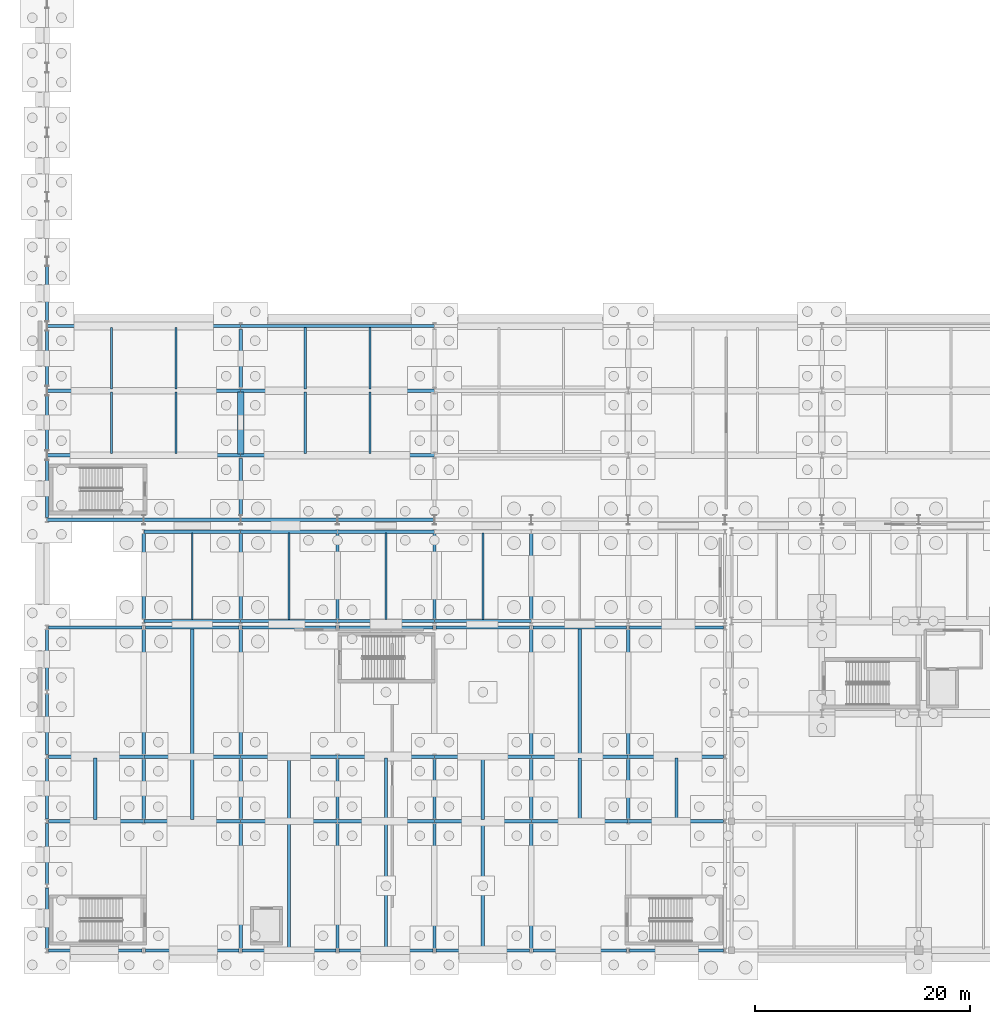
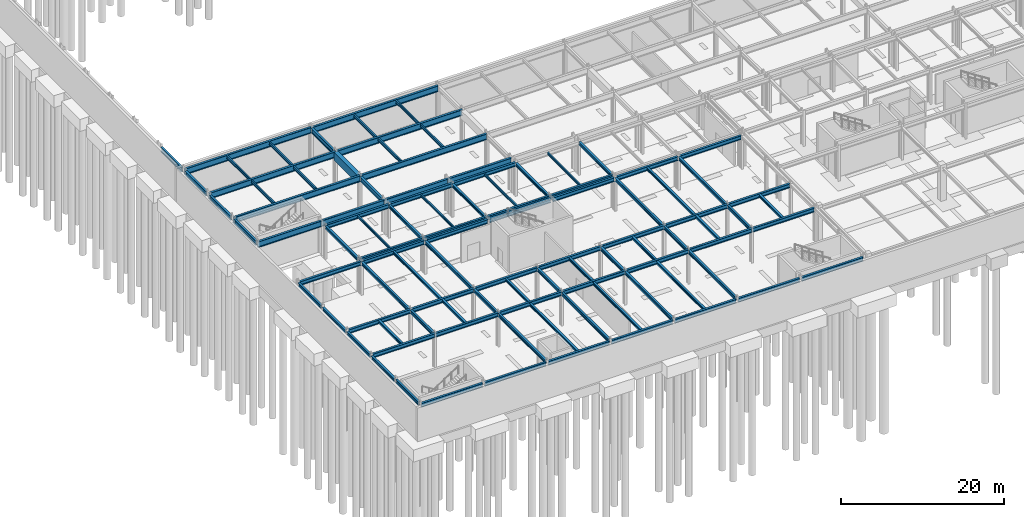
# One storey, part 34 of 65: 100 beams.
"""IFC4 building model written with IfcOpenShell, lengths in metres."""

from ifc_helpers import new_model, si_unit, direction, frame, origin, origin_2d, place, context, subcontext, project, spatial, rectangle, i_section, extrude, material, material_profile, profile_set, type_object, element, save


model = new_model("IFC4")

# Units and contexts
model_context = context("Model", 3, precision=1e-05, world=origin(), true_north=direction((0.0, 1.0)))
body_context = subcontext(model_context, "Body", "Model", "MODEL_VIEW")
ifc_project = project(units=[si_unit("LENGTHUNIT", "METRE"), si_unit("AREAUNIT", "SQUARE_METRE"), si_unit("VOLUMEUNIT", "CUBIC_METRE"), si_unit("PLANEANGLEUNIT", "RADIAN"), si_unit("MASSUNIT", "GRAM", prefix="KILO")], contexts=[model_context])

# Site, building, storey
site_placement = place(None, origin())
site = spatial("IfcSite", under=ifc_project, at=site_placement, CompositionType="ELEMENT")
building_placement = place(site_placement, origin())
building = spatial("IfcBuilding", under=site, at=building_placement, Name="Kaldris Quays Convention Centre", CompositionType="ELEMENT")
storey_placement = place(building_placement, frame((0.0, 0.0, -5.39990234375)))
storey = spatial("IfcBuildingStorey", under=building, at=storey_placement, Name="B1", CompositionType="ELEMENT", Elevation=-5.39990234375)

# Beams
ifc_material_1 = material(Name="Steel S355J2", Category="steel")
ifc_material_profile_1 = material_profile(ifc_material_1, i_section(OverallWidth=0.300048828125, OverallDepth=0.89990234375, WebThickness=0.0185546875, FlangeThickness=0.034912109375, FilletRadius=0.030029296875, at=origin_2d()), Name="HEB 900")
ifc_profile_set_1 = profile_set([ifc_material_profile_1], Name="Steel S355J2")
beam_type_1 = type_object("IfcBeamType", Name="STRUCTURAL BEAM BM02", PredefinedType="BEAM", material=ifc_profile_set_1)
beam_1_placement = place(storey_placement, frame((20.00439453125, 56.0, 4.5830078125), z_axis=(1.0, 0.0, 0.0), x_axis=(0.0, 1.0, 0.0)))
element("IfcBeam", 1, at=beam_1_placement, inside=storey, type_object=beam_type_1, Name="B1 Girder BM02 1", PredefinedType="BEAM", context=body_context, shape_type="SweptSolid", body=[
    extrude(i_section(OverallWidth=0.300048828125, OverallDepth=0.89990234375, WebThickness=0.0185546875, FlangeThickness=0.034912109375, FilletRadius=0.030029296875, at=origin_2d()), origin(), (0.0, 0.0, 1.0), 8.9921875),
])
for number, where, z_axis, x_axis, name in (
    (2, (29.00341796875, 56.0, 4.5830078125), (1.0, 0.0, 0.0), (0.0, 1.0, 0.0), "B1 Girder BM02 2"),
    (3, (38.00341796875, 56.0, 4.5830078125), (1.0, 0.0, 0.0), (0.0, 1.0, 0.0), "B1 Girder BM02 3"),
    (4, (47.00341796875, 56.0, 4.5830078125), (1.0, 0.0, 0.0), (0.0, 1.0, 0.0), "B1 Girder BM02 4"),
):
    element("IfcBeam", number, at=place(storey_placement, frame(where, z_axis=z_axis, x_axis=x_axis)), inside=storey, type_object=beam_type_1, Name=name, PredefinedType="BEAM", context=body_context, shape_type="SweptSolid", body=[
        extrude(i_section(OverallWidth=0.300048828125, OverallDepth=0.89990234375, WebThickness=0.0185546875, FlangeThickness=0.034912109375, FilletRadius=0.030029296875, at=origin_2d()), origin(), (0.0, 0.0, 1.0), 8.9931640625),
    ])
beam_2_placement = place(storey_placement, frame((20.00341796875, 62.0, 4.5830078125), z_axis=(1.0, 0.0, 0.0), x_axis=(0.0, 1.0, 0.0)))
element("IfcBeam", 5, at=beam_2_placement, inside=storey, type_object=beam_type_1, Name="B1 Girder BM02 15", PredefinedType="BEAM", context=body_context, shape_type="SweptSolid", body=[
    extrude(i_section(OverallWidth=0.300048828125, OverallDepth=0.89990234375, WebThickness=0.0185546875, FlangeThickness=0.034912109375, FilletRadius=0.030029296875, at=origin_2d()), origin(), (0.0, 0.0, 1.0), 17.994873046875),
])
beam_3_placement = place(storey_placement, frame((38.001708984375, 62.0, 4.5830078125), z_axis=(1.0, 0.0, 0.0), x_axis=(0.0, 1.0, 0.0)))
element("IfcBeam", 6, at=beam_3_placement, inside=storey, type_object=beam_type_1, Name="B1 Girder BM02 16", PredefinedType="BEAM", context=body_context, shape_type="SweptSolid", body=[
    extrude(i_section(OverallWidth=0.300048828125, OverallDepth=0.89990234375, WebThickness=0.0185546875, FlangeThickness=0.034912109375, FilletRadius=0.030029296875, at=origin_2d()), origin(), (0.0, 0.0, 1.0), 17.99658203125),
])
beam_4_placement = place(storey_placement, frame((20.00341796875, 68.0, 4.5830078125), z_axis=(1.0, 0.0, 0.0), x_axis=(0.0, 1.0, 0.0)))
element("IfcBeam", 7, at=beam_4_placement, inside=storey, type_object=beam_type_1, Name="B1 Girder BM02 22", PredefinedType="BEAM", context=body_context, shape_type="SweptSolid", body=[
    extrude(i_section(OverallWidth=0.300048828125, OverallDepth=0.89990234375, WebThickness=0.0185546875, FlangeThickness=0.034912109375, FilletRadius=0.030029296875, at=origin_2d()), origin(), (0.0, 0.0, 1.0), 17.994873046875),
])
beam_5_placement = place(storey_placement, frame((38.001708984375, 68.0, 4.5830078125), z_axis=(1.0, 0.0, 0.0), x_axis=(0.0, 1.0, 0.0)))
element("IfcBeam", 8, at=beam_5_placement, inside=storey, type_object=beam_type_1, Name="B1 Girder BM02 23", PredefinedType="BEAM", context=body_context, shape_type="SweptSolid", body=[
    extrude(i_section(OverallWidth=0.300048828125, OverallDepth=0.89990234375, WebThickness=0.0185546875, FlangeThickness=0.034912109375, FilletRadius=0.030029296875, at=origin_2d()), origin(), (0.0, 0.0, 1.0), 17.99658203125),
])
beam_6_placement = place(storey_placement, frame((20.00341796875, 74.0, 4.5830078125), z_axis=(1.0, 0.0, 0.0), x_axis=(0.0, 1.0, 0.0)))
element("IfcBeam", 9, at=beam_6_placement, inside=storey, type_object=beam_type_1, Name="B1 Girder BM02 29", PredefinedType="BEAM", context=body_context, shape_type="SweptSolid", body=[
    extrude(i_section(OverallWidth=0.300048828125, OverallDepth=0.89990234375, WebThickness=0.0185546875, FlangeThickness=0.034912109375, FilletRadius=0.030029296875, at=origin_2d()), origin(), (0.0, 0.0, 1.0), 17.994873046875),
])
beam_7_placement = place(storey_placement, frame((38.001708984375, 74.0, 4.5078125), z_axis=(1.0, 0.0, 0.0), x_axis=(0.0, 1.0, 0.0)))
element("IfcBeam", 10, at=beam_7_placement, inside=storey, type_object=beam_type_1, Name="B1 Girder BM02 30", PredefinedType="BEAM", context=body_context, shape_type="SweptSolid", body=[
    extrude(i_section(OverallWidth=0.300048828125, OverallDepth=0.89990234375, WebThickness=0.0185546875, FlangeThickness=0.034912109375, FilletRadius=0.030029296875, at=origin_2d()), origin(), (0.0, 0.0, 1.0), 17.99658203125),
])
ifc_material_profile_2 = material_profile(ifc_material_1, i_section(OverallWidth=0.300048828125, OverallDepth=0.699951171875, WebThickness=0.01708984375, FlangeThickness=0.031982421875, FilletRadius=0.027099609375, at=origin_2d()), Name="HEB 700")
ifc_profile_set_2 = profile_set([ifc_material_profile_2], Name="Steel S355J2")
beam_type_2 = type_object("IfcBeamType", Name="STRUCTURAL BEAM BM04", PredefinedType="BEAM", material=ifc_profile_set_2)
beam_8_placement = place(storey_placement, frame((20.0, 56.2099609375, 4.682861328125), z_axis=(0.0, 1.0, 0.0), x_axis=(-1.0, 0.0, 0.0)))
element("IfcBeam", 11, at=beam_8_placement, inside=storey, type_object=beam_type_2, Name="B1 Girder BM04 57", PredefinedType="BEAM", context=body_context, shape_type="SweptSolid", body=[
    extrude(i_section(OverallWidth=0.300048828125, OverallDepth=0.699951171875, WebThickness=0.01708984375, FlangeThickness=0.031982421875, FilletRadius=0.027099609375, at=origin_2d()), origin(), (0.0, 0.0, 1.0), 5.345947265625),
])
for number, where, z_axis, x_axis, name in (
    (12, (20.0, 62.444091796875, 4.64794921875), (0.0, 1.0, 0.0), (-1.0, 0.0, 0.0), "B1 Girder BM04 58"),
    (13, (20.0, 68.444091796875, 4.64794921875), (0.0, 1.0, 0.0), (-1.0, 0.0, 0.0), "B1 Girder BM04 59"),
    (14, (20.0, 74.444091796875, 4.60791015625), (0.0, 1.0, 0.0), (-1.0, 0.0, 0.0), "B1 Girder BM04 60"),
):
    element("IfcBeam", number, at=place(storey_placement, frame(where, z_axis=z_axis, x_axis=x_axis)), inside=storey, type_object=beam_type_2, Name=name, PredefinedType="BEAM", context=body_context, shape_type="SweptSolid", body=[
        extrude(i_section(OverallWidth=0.300048828125, OverallDepth=0.699951171875, WebThickness=0.01708984375, FlangeThickness=0.031982421875, FilletRadius=0.027099609375, at=origin_2d()), origin(), (0.0, 0.0, 1.0), 5.11181640625),
    ])
beam_9_placement = place(storey_placement, frame((38.0, 56.444091796875, 4.682861328125), z_axis=(0.0, 1.0, 0.0), x_axis=(-1.0, 0.0, 0.0)))
element("IfcBeam", 15, at=beam_9_placement, inside=storey, type_object=beam_type_2, Name="B1 Girder BM04 71", PredefinedType="BEAM", context=body_context, shape_type="SweptSolid", body=[
    extrude(i_section(OverallWidth=0.300048828125, OverallDepth=0.699951171875, WebThickness=0.01708984375, FlangeThickness=0.031982421875, FilletRadius=0.027099609375, at=origin_2d()), origin(), (0.0, 0.0, 1.0), 5.261962890625),
])
beam_10_placement = place(storey_placement, frame((38.0, 68.2939453125, 4.682861328125), z_axis=(0.0, 1.0, 0.0), x_axis=(-1.0, 0.0, 0.0)))
element("IfcBeam", 16, at=beam_10_placement, inside=storey, type_object=beam_type_2, Name="B1 Girder BM04 72", PredefinedType="BEAM", context=body_context, shape_type="SweptSolid", body=[
    extrude(i_section(OverallWidth=0.300048828125, OverallDepth=0.699951171875, WebThickness=0.01708984375, FlangeThickness=0.031982421875, FilletRadius=0.027099609375, at=origin_2d()), origin(), (0.0, 0.0, 1.0), 5.412109375),
])
ifc_material_profile_3 = material_profile(ifc_material_1, i_section(OverallWidth=0.300048828125, OverallDepth=0.60009765625, WebThickness=0.015380859375, FlangeThickness=0.030029296875, FilletRadius=0.027099609375, at=origin_2d()), Name="HEB 600")
ifc_profile_set_3 = profile_set([ifc_material_profile_3], Name="Steel S355J2")
beam_type_3 = type_object("IfcBeamType", Name="STRUCTURAL BEAM BM05", PredefinedType="BEAM", material=ifc_profile_set_3)
for number, where, z_axis, x_axis, name in (
    (17, (20.14794921875, 16.0, 4.697998046875), (1.0, 0.0, 0.0), (0.0, 1.0, 0.0), "B1 Girder BM05 1"),
    (18, (29.14794921875, 16.0, 4.697998046875), (1.0, 0.0, 0.0), (0.0, 1.0, 0.0), "B1 Girder BM05 2"),
    (19, (38.14794921875, 16.0, 4.697998046875), (1.0, 0.0, 0.0), (0.0, 1.0, 0.0), "B1 Girder BM05 3"),
    (20, (47.14794921875, 16.0, 4.697998046875), (1.0, 0.0, 0.0), (0.0, 1.0, 0.0), "B1 Girder BM05 4"),
    (21, (56.14794921875, 16.0, 4.697998046875), (1.0, 0.0, 0.0), (0.0, 1.0, 0.0), "B1 Girder BM05 5"),
    (22, (65.14794921875, 16.0, 4.697998046875), (1.0, 0.0, 0.0), (0.0, 1.0, 0.0), "B1 Girder BM05 6"),
    (23, (74.14794921875, 16.0, 4.697998046875), (1.0, 0.0, 0.0), (0.0, 1.0, 0.0), "B1 Girder BM05 7"),
):
    element("IfcBeam", number, at=place(storey_placement, frame(where, z_axis=z_axis, x_axis=x_axis)), inside=storey, type_object=beam_type_3, Name=name, PredefinedType="BEAM", context=body_context, shape_type="SweptSolid", body=[
        extrude(i_section(OverallWidth=0.300048828125, OverallDepth=0.60009765625, WebThickness=0.015380859375, FlangeThickness=0.030029296875, FilletRadius=0.027099609375, at=origin_2d()), origin(), (0.0, 0.0, 1.0), 8.7041015625),
    ])
beam_11_placement = place(storey_placement, frame((20.14794921875, 28.0, 4.802978515625), z_axis=(1.0, 0.0, 0.0), x_axis=(0.0, 1.0, 0.0)))
element("IfcBeam", 24, at=beam_11_placement, inside=storey, type_object=beam_type_3, Name="B1 Girder BM05 8", PredefinedType="BEAM", context=body_context, shape_type="SweptSolid", body=[
    extrude(i_section(OverallWidth=0.300048828125, OverallDepth=0.60009765625, WebThickness=0.015380859375, FlangeThickness=0.030029296875, FilletRadius=0.027099609375, at=origin_2d()), origin(), (0.0, 0.0, 1.0), 8.85107421875),
])
for number, where, z_axis, x_axis, name in (
    (25, (29.0009765625, 28.0, 4.802978515625), (1.0, 0.0, 0.0), (0.0, 1.0, 0.0), "B1 Girder BM05 9"),
    (26, (38.0009765625, 28.0, 4.802978515625), (1.0, 0.0, 0.0), (0.0, 1.0, 0.0), "B1 Girder BM05 10"),
    (27, (47.0009765625, 28.0, 4.802978515625), (1.0, 0.0, 0.0), (0.0, 1.0, 0.0), "B1 Girder BM05 11"),
    (28, (56.0009765625, 28.0, 4.802978515625), (1.0, 0.0, 0.0), (0.0, 1.0, 0.0), "B1 Girder BM05 12"),
    (29, (65.0009765625, 28.0, 4.802978515625), (1.0, 0.0, 0.0), (0.0, 1.0, 0.0), "B1 Girder BM05 13"),
):
    element("IfcBeam", number, at=place(storey_placement, frame(where, z_axis=z_axis, x_axis=x_axis)), inside=storey, type_object=beam_type_3, Name=name, PredefinedType="BEAM", context=body_context, shape_type="SweptSolid", body=[
        extrude(i_section(OverallWidth=0.300048828125, OverallDepth=0.60009765625, WebThickness=0.015380859375, FlangeThickness=0.030029296875, FilletRadius=0.027099609375, at=origin_2d()), origin(), (0.0, 0.0, 1.0), 8.998046875),
    ])
for number, where, z_axis, x_axis, name in (
    (30, (74.0009765625, 28.0, 4.802978515625), (1.0, 0.0, 0.0), (0.0, 1.0, 0.0), "B1 Girder BM05 14"),
    (31, (20.14794921875, 34.0, 4.802978515625), (1.0, 0.0, 0.0), (0.0, 1.0, 0.0), "B1 Girder BM05 15"),
):
    element("IfcBeam", number, at=place(storey_placement, frame(where, z_axis=z_axis, x_axis=x_axis)), inside=storey, type_object=beam_type_3, Name=name, PredefinedType="BEAM", context=body_context, shape_type="SweptSolid", body=[
        extrude(i_section(OverallWidth=0.300048828125, OverallDepth=0.60009765625, WebThickness=0.015380859375, FlangeThickness=0.030029296875, FilletRadius=0.027099609375, at=origin_2d()), origin(), (0.0, 0.0, 1.0), 8.85107421875),
    ])
for number, where, z_axis, x_axis, name in (
    (32, (29.0009765625, 34.0, 4.802978515625), (1.0, 0.0, 0.0), (0.0, 1.0, 0.0), "B1 Girder BM05 16"),
    (33, (38.0009765625, 34.0, 4.802978515625), (1.0, 0.0, 0.0), (0.0, 1.0, 0.0), "B1 Girder BM05 17"),
    (34, (47.0009765625, 34.0, 4.802978515625), (1.0, 0.0, 0.0), (0.0, 1.0, 0.0), "B1 Girder BM05 18"),
    (35, (56.0009765625, 34.0, 4.802978515625), (1.0, 0.0, 0.0), (0.0, 1.0, 0.0), "B1 Girder BM05 19"),
    (36, (65.0009765625, 34.0, 4.802978515625), (1.0, 0.0, 0.0), (0.0, 1.0, 0.0), "B1 Girder BM05 20"),
):
    element("IfcBeam", number, at=place(storey_placement, frame(where, z_axis=z_axis, x_axis=x_axis)), inside=storey, type_object=beam_type_3, Name=name, PredefinedType="BEAM", context=body_context, shape_type="SweptSolid", body=[
        extrude(i_section(OverallWidth=0.300048828125, OverallDepth=0.60009765625, WebThickness=0.015380859375, FlangeThickness=0.030029296875, FilletRadius=0.027099609375, at=origin_2d()), origin(), (0.0, 0.0, 1.0), 8.998046875),
    ])
beam_12_placement = place(storey_placement, frame((74.0009765625, 34.0, 4.802978515625), z_axis=(1.0, 0.0, 0.0), x_axis=(0.0, 1.0, 0.0)))
element("IfcBeam", 37, at=beam_12_placement, inside=storey, type_object=beam_type_3, Name="B1 Girder BM05 21", PredefinedType="BEAM", context=body_context, shape_type="SweptSolid", body=[
    extrude(i_section(OverallWidth=0.300048828125, OverallDepth=0.60009765625, WebThickness=0.015380859375, FlangeThickness=0.030029296875, FilletRadius=0.027099609375, at=origin_2d()), origin(), (0.0, 0.0, 1.0), 8.85107421875),
])
for number, where, z_axis, x_axis, name in (
    (38, (20.14794921875, 46.0, 4.747802734375), (1.0, 0.0, 0.0), (0.0, 1.0, 0.0), "B1 Girder BM05 22"),
    (39, (29.14794921875, 46.0, 4.747802734375), (1.0, 0.0, 0.0), (0.0, 1.0, 0.0), "B1 Girder BM05 23"),
    (40, (38.14794921875, 46.0, 4.747802734375), (1.0, 0.0, 0.0), (0.0, 1.0, 0.0), "B1 Girder BM05 24"),
    (41, (47.14794921875, 46.0, 4.747802734375), (1.0, 0.0, 0.0), (0.0, 1.0, 0.0), "B1 Girder BM05 25"),
    (42, (56.14794921875, 46.0, 4.747802734375), (1.0, 0.0, 0.0), (0.0, 1.0, 0.0), "B1 Girder BM05 26"),
    (43, (65.14794921875, 46.0, 4.747802734375), (1.0, 0.0, 0.0), (0.0, 1.0, 0.0), "B1 Girder BM05 27"),
    (44, (74.14794921875, 46.0, 4.747802734375), (1.0, 0.0, 0.0), (0.0, 1.0, 0.0), "B1 Girder BM05 28"),
):
    element("IfcBeam", number, at=place(storey_placement, frame(where, z_axis=z_axis, x_axis=x_axis)), inside=storey, type_object=beam_type_3, Name=name, PredefinedType="BEAM", context=body_context, shape_type="SweptSolid", body=[
        extrude(i_section(OverallWidth=0.300048828125, OverallDepth=0.60009765625, WebThickness=0.015380859375, FlangeThickness=0.030029296875, FilletRadius=0.027099609375, at=origin_2d()), origin(), (0.0, 0.0, 1.0), 8.7041015625),
    ])
for number, where, z_axis, x_axis, name in (
    (45, (28.99951171875, 46.60009765625, 4.747802734375), (1.0, 0.0, 0.0), (0.0, 1.0, 0.0), "B1 Girder BM05 18"),
    (46, (37.99951171875, 46.60009765625, 4.747802734375), (1.0, 0.0, 0.0), (0.0, 1.0, 0.0), "B1 Girder BM05 19"),
    (47, (46.99951171875, 46.60009765625, 4.747802734375), (1.0, 0.0, 0.0), (0.0, 1.0, 0.0), "B1 Girder BM05 20"),
    (48, (55.99951171875, 46.60009765625, 4.747802734375), (1.0, 0.0, 0.0), (0.0, 1.0, 0.0), "B1 Girder BM05 21"),
    (49, (28.99951171875, 54.89990234375, 4.747802734375), (1.0, 0.0, 0.0), (0.0, 1.0, 0.0), "B1 Girder BM05 37"),
    (50, (37.99951171875, 54.89990234375, 4.747802734375), (1.0, 0.0, 0.0), (0.0, 1.0, 0.0), "B1 Girder BM05 38"),
    (51, (46.99951171875, 54.89990234375, 4.747802734375), (1.0, 0.0, 0.0), (0.0, 1.0, 0.0), "B1 Girder BM05 39"),
):
    element("IfcBeam", number, at=place(storey_placement, frame(where, z_axis=z_axis, x_axis=x_axis)), inside=storey, type_object=beam_type_3, Name=name, PredefinedType="BEAM", context=body_context, shape_type="SweptSolid", body=[
        extrude(i_section(OverallWidth=0.300048828125, OverallDepth=0.60009765625, WebThickness=0.015380859375, FlangeThickness=0.030029296875, FilletRadius=0.027099609375, at=origin_2d()), origin(), (0.0, 0.0, 1.0), 9.0009765625),
    ])
ifc_material_profile_4 = material_profile(ifc_material_1, i_section(OverallWidth=0.300048828125, OverallDepth=0.5, WebThickness=0.014404296875, FlangeThickness=0.028076171875, FilletRadius=0.027099609375, at=origin_2d()), Name="HEB 500")
ifc_profile_set_4 = profile_set([ifc_material_profile_4], Name="Steel S355J2")
beam_type_4 = type_object("IfcBeamType", Name="STRUCTURAL BEAM BM06", PredefinedType="BEAM", material=ifc_profile_set_4)
for number, where, z_axis, x_axis, name in (
    (52, (20.0, 16.19140625, 4.852783203125), (0.0, 1.0, 0.0), (-1.0, 0.0, 0.0), "B1 Girder BM06 29"),
    (53, (20.0, 22.19140625, 4.747802734375), (0.0, 1.0, 0.0), (-1.0, 0.0, 0.0), "B1 Girder BM06 30"),
    (54, (20.0, 28.19140625, 4.747802734375), (0.0, 1.0, 0.0), (-1.0, 0.0, 0.0), "B1 Girder BM06 31"),
    (55, (20.0, 34.19140625, 4.747802734375), (0.0, 1.0, 0.0), (-1.0, 0.0, 0.0), "B1 Girder BM06 32"),
    (56, (20.0, 40.19140625, 4.7978515625), (0.0, 1.0, 0.0), (-1.0, 0.0, 0.0), "B1 Girder BM06 33"),
):
    element("IfcBeam", number, at=place(storey_placement, frame(where, z_axis=z_axis, x_axis=x_axis)), inside=storey, type_object=beam_type_4, Name=name, PredefinedType="BEAM", context=body_context, shape_type="SweptSolid", body=[
        extrude(i_section(OverallWidth=0.300048828125, OverallDepth=0.5, WebThickness=0.014404296875, FlangeThickness=0.028076171875, FilletRadius=0.027099609375, at=origin_2d()), origin(), (0.0, 0.0, 1.0), 5.6171875),
    ])
beam_13_placement = place(storey_placement, frame((29.0, 28.218994140625, 4.852783203125), z_axis=(0.0, 1.0, 0.0), x_axis=(-1.0, 0.0, 0.0)))
element("IfcBeam", 57, at=beam_13_placement, inside=storey, type_object=beam_type_4, Name="B1 Girder BM06 34", PredefinedType="BEAM", context=body_context, shape_type="SweptSolid", body=[
    extrude(i_section(OverallWidth=0.300048828125, OverallDepth=0.5, WebThickness=0.014404296875, FlangeThickness=0.028076171875, FilletRadius=0.027099609375, at=origin_2d()), origin(), (0.0, 0.0, 1.0), 5.56201171875),
])
for number, where, z_axis, x_axis, name in (
    (58, (29.0, 34.218994140625, 4.7978515625), (0.0, 1.0, 0.0), (-1.0, 0.0, 0.0), "B1 Girder BM06 35"),
    (59, (38.0, 16.19140625, 4.852783203125), (0.0, 1.0, 0.0), (-1.0, 0.0, 0.0), "B1 Girder BM06 36"),
):
    element("IfcBeam", number, at=place(storey_placement, frame(where, z_axis=z_axis, x_axis=x_axis)), inside=storey, type_object=beam_type_4, Name=name, PredefinedType="BEAM", context=body_context, shape_type="SweptSolid", body=[
        extrude(i_section(OverallWidth=0.300048828125, OverallDepth=0.5, WebThickness=0.014404296875, FlangeThickness=0.028076171875, FilletRadius=0.027099609375, at=origin_2d()), origin(), (0.0, 0.0, 1.0), 11.589599609375),
    ])
beam_14_placement = place(storey_placement, frame((38.0, 28.218994140625, 4.852783203125), z_axis=(0.0, 1.0, 0.0), x_axis=(-1.0, 0.0, 0.0)))
element("IfcBeam", 60, at=beam_14_placement, inside=storey, type_object=beam_type_4, Name="B1 Girder BM06 37", PredefinedType="BEAM", context=body_context, shape_type="SweptSolid", body=[
    extrude(i_section(OverallWidth=0.300048828125, OverallDepth=0.5, WebThickness=0.014404296875, FlangeThickness=0.028076171875, FilletRadius=0.027099609375, at=origin_2d()), origin(), (0.0, 0.0, 1.0), 5.56201171875),
])
for number, where, z_axis, x_axis, name in (
    (61, (38.0, 34.218994140625, 4.7978515625), (0.0, 1.0, 0.0), (-1.0, 0.0, 0.0), "B1 Girder BM06 38"),
    (62, (47.0, 16.19140625, 4.852783203125), (0.0, 1.0, 0.0), (-1.0, 0.0, 0.0), "B1 Girder BM06 39"),
):
    element("IfcBeam", number, at=place(storey_placement, frame(where, z_axis=z_axis, x_axis=x_axis)), inside=storey, type_object=beam_type_4, Name=name, PredefinedType="BEAM", context=body_context, shape_type="SweptSolid", body=[
        extrude(i_section(OverallWidth=0.300048828125, OverallDepth=0.5, WebThickness=0.014404296875, FlangeThickness=0.028076171875, FilletRadius=0.027099609375, at=origin_2d()), origin(), (0.0, 0.0, 1.0), 11.589599609375),
    ])
beam_15_placement = place(storey_placement, frame((47.0, 28.218994140625, 4.852783203125), z_axis=(0.0, 1.0, 0.0), x_axis=(-1.0, 0.0, 0.0)))
element("IfcBeam", 63, at=beam_15_placement, inside=storey, type_object=beam_type_4, Name="B1 Girder BM06 40", PredefinedType="BEAM", context=body_context, shape_type="SweptSolid", body=[
    extrude(i_section(OverallWidth=0.300048828125, OverallDepth=0.5, WebThickness=0.014404296875, FlangeThickness=0.028076171875, FilletRadius=0.027099609375, at=origin_2d()), origin(), (0.0, 0.0, 1.0), 5.56201171875),
])
beam_16_placement = place(storey_placement, frame((56.0, 16.19140625, 4.852783203125), z_axis=(0.0, 1.0, 0.0), x_axis=(-1.0, 0.0, 0.0)))
element("IfcBeam", 64, at=beam_16_placement, inside=storey, type_object=beam_type_4, Name="B1 Girder BM06 41", PredefinedType="BEAM", context=body_context, shape_type="SweptSolid", body=[
    extrude(i_section(OverallWidth=0.300048828125, OverallDepth=0.5, WebThickness=0.014404296875, FlangeThickness=0.028076171875, FilletRadius=0.027099609375, at=origin_2d()), origin(), (0.0, 0.0, 1.0), 11.589599609375),
])
beam_17_placement = place(storey_placement, frame((56.0, 28.218994140625, 4.852783203125), z_axis=(0.0, 1.0, 0.0), x_axis=(-1.0, 0.0, 0.0)))
element("IfcBeam", 65, at=beam_17_placement, inside=storey, type_object=beam_type_4, Name="B1 Girder BM06 42", PredefinedType="BEAM", context=body_context, shape_type="SweptSolid", body=[
    extrude(i_section(OverallWidth=0.300048828125, OverallDepth=0.5, WebThickness=0.014404296875, FlangeThickness=0.028076171875, FilletRadius=0.027099609375, at=origin_2d()), origin(), (0.0, 0.0, 1.0), 5.56201171875),
])
beam_18_placement = place(storey_placement, frame((65.0, 16.19140625, 4.852783203125), z_axis=(0.0, 1.0, 0.0), x_axis=(-1.0, 0.0, 0.0)))
element("IfcBeam", 66, at=beam_18_placement, inside=storey, type_object=beam_type_4, Name="B1 Girder BM06 43", PredefinedType="BEAM", context=body_context, shape_type="SweptSolid", body=[
    extrude(i_section(OverallWidth=0.300048828125, OverallDepth=0.5, WebThickness=0.014404296875, FlangeThickness=0.028076171875, FilletRadius=0.027099609375, at=origin_2d()), origin(), (0.0, 0.0, 1.0), 11.589599609375),
])
beam_19_placement = place(storey_placement, frame((65.0, 28.218994140625, 4.852783203125), z_axis=(0.0, 1.0, 0.0), x_axis=(-1.0, 0.0, 0.0)))
element("IfcBeam", 67, at=beam_19_placement, inside=storey, type_object=beam_type_4, Name="B1 Girder BM06 44", PredefinedType="BEAM", context=body_context, shape_type="SweptSolid", body=[
    extrude(i_section(OverallWidth=0.300048828125, OverallDepth=0.5, WebThickness=0.014404296875, FlangeThickness=0.028076171875, FilletRadius=0.027099609375, at=origin_2d()), origin(), (0.0, 0.0, 1.0), 5.56201171875),
])
beam_20_placement = place(storey_placement, frame((65.0, 34.218994140625, 4.7978515625), z_axis=(0.0, 1.0, 0.0), x_axis=(-1.0, 0.0, 0.0)))
element("IfcBeam", 68, at=beam_20_placement, inside=storey, type_object=beam_type_4, Name="B1 Girder BM06 45", PredefinedType="BEAM", context=body_context, shape_type="SweptSolid", body=[
    extrude(i_section(OverallWidth=0.300048828125, OverallDepth=0.5, WebThickness=0.014404296875, FlangeThickness=0.028076171875, FilletRadius=0.027099609375, at=origin_2d()), origin(), (0.0, 0.0, 1.0), 11.589599609375),
])
beam_21_placement = place(storey_placement, frame((74.0, 28.218994140625, 4.852783203125), z_axis=(0.0, 1.0, 0.0), x_axis=(-1.0, 0.0, 0.0)))
element("IfcBeam", 69, at=beam_21_placement, inside=storey, type_object=beam_type_4, Name="B1 Girder BM06 46", PredefinedType="BEAM", context=body_context, shape_type="SweptSolid", body=[
    extrude(i_section(OverallWidth=0.300048828125, OverallDepth=0.5, WebThickness=0.014404296875, FlangeThickness=0.028076171875, FilletRadius=0.027099609375, at=origin_2d()), origin(), (0.0, 0.0, 1.0), 5.56201171875),
])
beam_22_placement = place(storey_placement, frame((74.0, 34.218994140625, 4.7978515625), z_axis=(0.0, 1.0, 0.0), x_axis=(-1.0, 0.0, 0.0)))
element("IfcBeam", 70, at=beam_22_placement, inside=storey, type_object=beam_type_4, Name="B1 Girder BM06 47", PredefinedType="BEAM", context=body_context, shape_type="SweptSolid", body=[
    extrude(i_section(OverallWidth=0.300048828125, OverallDepth=0.5, WebThickness=0.014404296875, FlangeThickness=0.028076171875, FilletRadius=0.027099609375, at=origin_2d()), origin(), (0.0, 0.0, 1.0), 11.589599609375),
])
ifc_material_profile_5 = material_profile(ifc_material_1, i_section(OverallWidth=0.300048828125, OverallDepth=0.449951171875, WebThickness=0.013916015625, FlangeThickness=0.02587890625, FilletRadius=0.027099609375, at=origin_2d()), Name="HEB 450")
ifc_profile_set_5 = profile_set([ifc_material_profile_5], Name="Steel S355J2")
beam_type_5 = type_object("IfcBeamType", Name="STRUCTURAL BEAM BM07", PredefinedType="BEAM", material=ifc_profile_set_5)
for number, where, z_axis, x_axis, name in (
    (71, (29.0, 46.7890625, 4.822998046875), (0.0, 1.0, 0.0), (-1.0, 0.0, 0.0), "B1 Girder BM07 87"),
    (72, (38.0, 46.7890625, 4.822998046875), (0.0, 1.0, 0.0), (-1.0, 0.0, 0.0), "B1 Girder BM07 88"),
    (73, (47.0, 46.7890625, 4.822998046875), (0.0, 1.0, 0.0), (-1.0, 0.0, 0.0), "B1 Girder BM07 89"),
    (74, (56.0, 46.7890625, 4.822998046875), (0.0, 1.0, 0.0), (-1.0, 0.0, 0.0), "B1 Girder BM07 90"),
    (75, (65.0, 46.7890625, 4.822998046875), (0.0, 1.0, 0.0), (-1.0, 0.0, 0.0), "B1 Girder BM07 91"),
):
    element("IfcBeam", number, at=place(storey_placement, frame(where, z_axis=z_axis, x_axis=x_axis)), inside=storey, type_object=beam_type_5, Name=name, PredefinedType="BEAM", context=body_context, shape_type="SweptSolid", body=[
        extrude(i_section(OverallWidth=0.300048828125, OverallDepth=0.449951171875, WebThickness=0.013916015625, FlangeThickness=0.02587890625, FilletRadius=0.027099609375, at=origin_2d()), origin(), (0.0, 0.0, 1.0), 7.921875),
    ])
ifc_material_profile_6 = material_profile(ifc_material_1, i_section(OverallWidth=0.18994140625, OverallDepth=0.449951171875, WebThickness=0.009521484375, FlangeThickness=0.0146484375, FilletRadius=0.02099609375, at=origin_2d()), Name="IPE 450")
ifc_profile_set_6 = profile_set([ifc_material_profile_6], Name="Steel S355J2")
beam_type_6 = type_object("IfcBeamType", Name="STRUCTURAL BEAM JT01", PredefinedType="JOIST", material=ifc_profile_set_6)
for number, where, z_axis, x_axis, name in (
    (76, (26.0, 62.14404296875, 4.807861328125), (0.0, 1.0, 0.0), (-1.0, 0.0, 0.0), "B1 Secondary Joist JT01 1"),
    (77, (32.0, 62.14404296875, 4.807861328125), (0.0, 1.0, 0.0), (-1.0, 0.0, 0.0), "B1 Secondary Joist JT01 2"),
    (78, (44.0, 62.14404296875, 4.807861328125), (0.0, 1.0, 0.0), (-1.0, 0.0, 0.0), "B1 Secondary Joist JT01 3"),
    (79, (50.0, 62.14404296875, 4.807861328125), (0.0, 1.0, 0.0), (-1.0, 0.0, 0.0), "B1 Secondary Joist JT01 4"),
    (80, (26.0, 68.14404296875, 4.807861328125), (0.0, 1.0, 0.0), (-1.0, 0.0, 0.0), "B1 Secondary Joist JT01 15"),
    (81, (32.0, 68.14404296875, 4.807861328125), (0.0, 1.0, 0.0), (-1.0, 0.0, 0.0), "B1 Secondary Joist JT01 16"),
    (82, (44.0, 68.14404296875, 4.73291015625), (0.0, 1.0, 0.0), (-1.0, 0.0, 0.0), "B1 Secondary Joist JT01 17"),
    (83, (50.0, 68.14404296875, 4.73291015625), (0.0, 1.0, 0.0), (-1.0, 0.0, 0.0), "B1 Secondary Joist JT01 18"),
):
    element("IfcBeam", number, at=place(storey_placement, frame(where, z_axis=z_axis, x_axis=x_axis)), inside=storey, type_object=beam_type_6, Name=name, PredefinedType="JOIST", context=body_context, shape_type="SweptSolid", body=[
        extrude(i_section(OverallWidth=0.18994140625, OverallDepth=0.449951171875, WebThickness=0.009521484375, FlangeThickness=0.0146484375, FilletRadius=0.02099609375, at=origin_2d()), origin(), (0.0, 0.0, 1.0), 5.7119140625),
    ])
ifc_material_profile_7 = material_profile(ifc_material_1, i_section(OverallWidth=0.169921875, OverallDepth=0.360107421875, WebThickness=0.008056640625, FlangeThickness=0.0126953125, FilletRadius=0.01806640625, at=origin_2d()), Name="IPE 360")
ifc_profile_set_7 = profile_set([ifc_material_profile_7], Name="Steel S355J2")
beam_type_7 = type_object("IfcBeamType", Name="STRUCTURAL BEAM JT03", PredefinedType="JOIST", material=ifc_profile_set_7)
for number, where, z_axis, x_axis, name in (
    (84, (33.5, 46.743896484375, 4.867919921875), (0.0, 1.0, 0.0), (-1.0, 0.0, 0.0), "B1 Secondary Joist JT03 11"),
    (85, (42.5, 46.743896484375, 4.867919921875), (0.0, 1.0, 0.0), (-1.0, 0.0, 0.0), "B1 Secondary Joist JT03 12"),
    (86, (51.5, 46.743896484375, 4.867919921875), (0.0, 1.0, 0.0), (-1.0, 0.0, 0.0), "B1 Secondary Joist JT03 13"),
    (87, (60.5, 46.743896484375, 4.867919921875), (0.0, 1.0, 0.0), (-1.0, 0.0, 0.0), "B1 Secondary Joist JT03 14"),
):
    element("IfcBeam", number, at=place(storey_placement, frame(where, z_axis=z_axis, x_axis=x_axis)), inside=storey, type_object=beam_type_7, Name=name, PredefinedType="JOIST", context=body_context, shape_type="SweptSolid", body=[
        extrude(i_section(OverallWidth=0.169921875, OverallDepth=0.360107421875, WebThickness=0.008056640625, FlangeThickness=0.0126953125, FilletRadius=0.01806640625, at=origin_2d()), origin(), (0.0, 0.0, 1.0), 8.01220703125),
    ])
ifc_material_profile_8 = material_profile(ifc_material_1, i_section(OverallWidth=0.300048828125, OverallDepth=0.39990234375, WebThickness=0.013427734375, FlangeThickness=0.02392578125, FilletRadius=0.027099609375, at=origin_2d()), Name="HEB 400")
ifc_profile_set_8 = profile_set([ifc_material_profile_8], Name="Steel S355J2")
beam_type_8 = type_object("IfcBeamType", Name="STRUCTURAL BEAM JT06", PredefinedType="JOIST", material=ifc_profile_set_8)
for number, where, z_axis, x_axis, name in (
    (88, (42.5, 16.14404296875, 4.7978515625), (0.0, 1.0, 0.0), (-1.0, 0.0, 0.0), "B1 Secondary Joist JT06 1"),
    (89, (51.5, 16.14404296875, 4.7978515625), (0.0, 1.0, 0.0), (-1.0, 0.0, 0.0), "B1 Secondary Joist JT06 2"),
    (90, (60.5, 16.14404296875, 4.7978515625), (0.0, 1.0, 0.0), (-1.0, 0.0, 0.0), "B1 Secondary Joist JT06 3"),
):
    element("IfcBeam", number, at=place(storey_placement, frame(where, z_axis=z_axis, x_axis=x_axis)), inside=storey, type_object=beam_type_8, Name=name, PredefinedType="JOIST", context=body_context, shape_type="SweptSolid", body=[
        extrude(i_section(OverallWidth=0.300048828125, OverallDepth=0.39990234375, WebThickness=0.013427734375, FlangeThickness=0.02392578125, FilletRadius=0.027099609375, at=origin_2d()), origin(), (0.0, 0.0, 1.0), 11.7119140625),
    ])
for number, where, z_axis, x_axis, name in (
    (91, (24.5, 28.14404296875, 4.90283203125), (0.0, 1.0, 0.0), (-1.0, 0.0, 0.0), "B1 Secondary Joist JT06 4"),
    (92, (33.5, 28.14404296875, 4.90283203125), (0.0, 1.0, 0.0), (-1.0, 0.0, 0.0), "B1 Secondary Joist JT06 5"),
    (93, (42.5, 28.14404296875, 4.90283203125), (0.0, 1.0, 0.0), (-1.0, 0.0, 0.0), "B1 Secondary Joist JT06 6"),
    (94, (51.5, 28.14404296875, 4.90283203125), (0.0, 1.0, 0.0), (-1.0, 0.0, 0.0), "B1 Secondary Joist JT06 7"),
    (95, (60.5, 28.14404296875, 4.90283203125), (0.0, 1.0, 0.0), (-1.0, 0.0, 0.0), "B1 Secondary Joist JT06 8"),
    (96, (69.5, 28.14404296875, 4.90283203125), (0.0, 1.0, 0.0), (-1.0, 0.0, 0.0), "B1 Secondary Joist JT06 9"),
    (97, (78.5, 28.14404296875, 4.90283203125), (0.0, 1.0, 0.0), (-1.0, 0.0, 0.0), "B1 Secondary Joist JT06 10"),
):
    element("IfcBeam", number, at=place(storey_placement, frame(where, z_axis=z_axis, x_axis=x_axis)), inside=storey, type_object=beam_type_8, Name=name, PredefinedType="JOIST", context=body_context, shape_type="SweptSolid", body=[
        extrude(i_section(OverallWidth=0.300048828125, OverallDepth=0.39990234375, WebThickness=0.013427734375, FlangeThickness=0.02392578125, FilletRadius=0.027099609375, at=origin_2d()), origin(), (0.0, 0.0, 1.0), 5.7119140625),
    ])
for number, where, z_axis, x_axis, name in (
    (98, (33.5, 34.14404296875, 4.847900390625), (0.0, 1.0, 0.0), (-1.0, 0.0, 0.0), "B1 Secondary Joist JT06 11"),
    (99, (69.5, 34.14404296875, 4.847900390625), (0.0, 1.0, 0.0), (-1.0, 0.0, 0.0), "B1 Secondary Joist JT06 12"),
):
    element("IfcBeam", number, at=place(storey_placement, frame(where, z_axis=z_axis, x_axis=x_axis)), inside=storey, type_object=beam_type_8, Name=name, PredefinedType="JOIST", context=body_context, shape_type="SweptSolid", body=[
        extrude(i_section(OverallWidth=0.300048828125, OverallDepth=0.39990234375, WebThickness=0.013427734375, FlangeThickness=0.02392578125, FilletRadius=0.027099609375, at=origin_2d()), origin(), (0.0, 0.0, 1.0), 11.7119140625),
    ])
ifc_material_2 = material(Name="Concrete C35/45", Category="concrete")
ifc_material_profile_9 = material_profile(ifc_material_2, rectangle(XDim=0.60009765625, YDim=1.199951171875, at=origin_2d()), Name="RC 600x1200")
ifc_profile_set_9 = profile_set([ifc_material_profile_9], Name="Concrete C35/45")
beam_type_9 = type_object("IfcBeamType", Name="STRUCTURAL BEAM TB01", PredefinedType="T_BEAM", material=ifc_profile_set_9)
beam_23_placement = place(storey_placement, frame((38.0, 62.139892578125, 4.432861328125), z_axis=(0.0, 1.0, 0.0), x_axis=(-1.0, 0.0, 0.0)))
element("IfcBeam", 100, at=beam_23_placement, inside=storey, type_object=beam_type_9, Name="B1 Ceiling RC T-Beam TB01 1", PredefinedType="T_BEAM", context=body_context, shape_type="SweptSolid", body=[
    extrude(rectangle(XDim=0.60009765625, YDim=1.199951171875, at=origin_2d()), origin(), (0.0, 0.0, 1.0), 5.72021484375),
])

save(model, "model.ifc")
